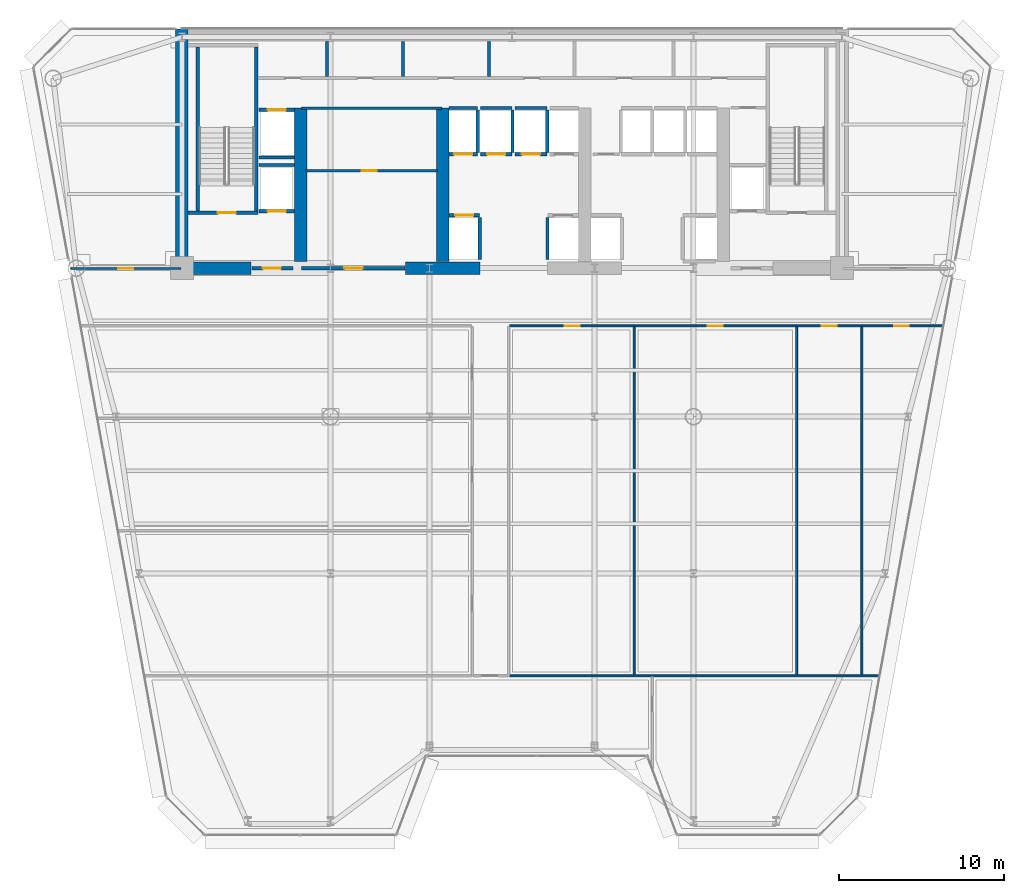
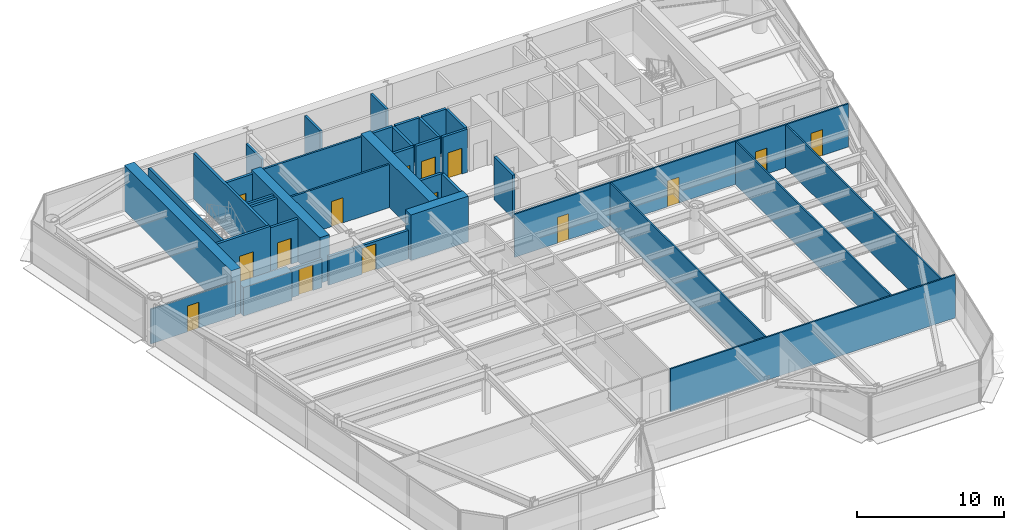
# One storey, part 8 of 14: 37 walls, 15 doors, 15 openings.
"""IFC4 building model written with IfcOpenShell, lengths in metres."""

from ifc_helpers import new_model, si_unit, direction, frame, frame_2d, origin, place, context, subcontext, project, spatial, rectangle, extrude, source, transform, mapped, material, layer, layer_set, type_object, element, fill, save


model = new_model("IFC4")

# Units and contexts
model_context = context("Model", 3, precision=1e-05, world=origin(), true_north=direction((0.0, 1.0)))
body_context = subcontext(model_context, "Body", "Model", "MODEL_VIEW")
ifc_project = project(units=[si_unit("LENGTHUNIT", "METRE"), si_unit("AREAUNIT", "SQUARE_METRE"), si_unit("VOLUMEUNIT", "CUBIC_METRE"), si_unit("PLANEANGLEUNIT", "RADIAN"), si_unit("MASSUNIT", "GRAM", prefix="KILO")], contexts=[model_context])

# Site, building, storey
site_placement = place(None, origin())
site = spatial("IfcSite", under=ifc_project, at=site_placement, CompositionType="ELEMENT")
building_placement = place(site_placement, origin())
building = spatial("IfcBuilding", under=site, at=building_placement, Name="Vaeldorn Concourse Tower", CompositionType="ELEMENT")
storey_placement = place(building_placement, frame((0.0, 0.0, 111.0)))
storey = spatial("IfcBuildingStorey", under=building, at=storey_placement, Name="L28", CompositionType="ELEMENT", Elevation=111.0)

# Walls
ifc_material_1 = material(Name="Concrete C60/75", Category="concrete")
ifc_layer_1 = layer(ifc_material_1, 0.75)
ifc_layer_set_1 = layer_set([ifc_layer_1], Name="Concrete C60/75")
wall_type_1 = type_object("IfcWallType", Name="WL-CORE-750", PredefinedType="SHEAR", material=ifc_layer_set_1)
wall_1_placement = place(storey_placement, frame((14.0, 36.5, 0.0), z_axis=(0.0, 0.0, 1.0), x_axis=(0.0, 1.0, 0.0)))
element("IfcWall", 1, at=wall_1_placement, inside=storey, type_object=wall_type_1, Name="Rear Core Shear Wall L28 W1", PredefinedType="SHEAR", context=body_context, shape_type="SweptSolid", body=[
    extrude(rectangle(XDim=14.5, YDim=0.75, at=frame_2d((7.25, 0.0))), origin(), (0.0, 0.0, 1.0), 3.800048828125),
])
wall_2_placement = place(storey_placement, frame((14.39501953125, 36.5, 0.0), z_axis=(0.0, 0.0, 1.0), x_axis=(1.0, 0.0, 0.0)))
element("IfcWall", 2, at=wall_2_placement, inside=storey, type_object=wall_type_1, Name="Rear Core Shear Wall L28 S1", PredefinedType="SHEAR", context=body_context, shape_type="SweptSolid", body=[
    extrude(rectangle(XDim=3.804931640625, YDim=0.75, at=frame_2d((1.90234375, 0.0))), origin(), (0.0, 0.0, 1.0), 2.3798828125),
])
wall_3_placement = place(storey_placement, frame((27.550048828125, 36.5, 0.0), z_axis=(0.0, 0.0, 1.0), x_axis=(1.0, 0.0, 0.0)))
element("IfcWall", 3, at=wall_3_placement, inside=storey, type_object=wall_type_1, Name="Rear Core Shear Wall L28 S2", PredefinedType="SHEAR", context=body_context, shape_type="SweptSolid", body=[
    extrude(rectangle(XDim=4.5, YDim=0.75, at=frame_2d((2.25, 0.0))), origin(), (0.0, 0.0, 1.0), 3.800048828125),
])
for number, where, z_axis, x_axis, name in (
    (4, (21.199951171875, 36.89501953125, 0.0), (0.0, 0.0, 1.0), (0.0, 1.0, 0.0), "Rear Core Shear Wall L28 M1"),
    (5, (29.800048828125, 36.89501953125, 0.0), (0.0, 0.0, 1.0), (0.0, 1.0, 0.0), "Rear Core Shear Wall L28 M2"),
):
    element("IfcWall", number, at=place(storey_placement, frame(where, z_axis=z_axis, x_axis=x_axis)), inside=storey, type_object=wall_type_1, Name=name, PredefinedType="SHEAR", context=body_context, shape_type="SweptSolid", body=[
        extrude(rectangle(XDim=9.304931640625, YDim=0.75, at=frame_2d((4.65234375, 0.0))), origin(), (0.0, 0.0, 1.0), 3.800048828125),
    ])

# Wall, openings, doors
ifc_material_2 = material(Name="Gypsum Board Partition", Category="gypsum")
ifc_layer_2 = layer(ifc_material_2, 0.1201171875)
ifc_layer_set_2 = layer_set([ifc_layer_2], Name="Gypsum Board Partition")
wall_type_2 = type_object("IfcWallType", Name="WL-PART-120", PredefinedType="PARTITIONING", material=ifc_layer_set_2)
wall_4_placement = place(storey_placement, frame((33.860107421875, 33.0, 0.0), z_axis=(0.0, 0.0, 1.0), x_axis=(1.0, 0.0, 0.0)))
wall_4 = element("IfcWall", 6, at=wall_4_placement, inside=storey, type_object=wall_type_2, Name="Interior Wall PW-L28-C2SE", PredefinedType="PARTITIONING", context=body_context, shape_type="SweptSolid", body=[
    extrude(rectangle(XDim=26.239990234375, YDim=0.1201171875, at=frame_2d((13.1201171875, 0.0))), origin(), (0.0, 0.0, 1.0), 3.580078125),
])
opening_1_placement = place(wall_4_placement, frame((3.340087890625, 0.0, 0.0)))
opening_1 = element("IfcOpeningElement", 7, at=opening_1_placement, cuts=wall_4, Name="Opening D-03", PredefinedType="OPENING", context=body_context, shape_type="SweptSolid", body=[
    extrude(rectangle(XDim=0.89990234375, YDim=2.14990234375, at=frame_2d((0.449951171875, 1.074951171875))), frame((0.0, 0.070068359375, 0.0), z_axis=(0.0, -1.0, 0.0), x_axis=(1.0, 0.0, 0.0)), (0.0, 0.0, 1.0), 0.14013671875),
])
opening_2_placement = place(wall_4_placement, frame((12.014892578125, 0.0, 0.0)))
opening_2 = element("IfcOpeningElement", 8, at=opening_2_placement, cuts=wall_4, Name="Opening D-03", PredefinedType="OPENING", context=body_context, shape_type="SweptSolid", body=[
    extrude(rectangle(XDim=0.89990234375, YDim=2.14990234375, at=frame_2d((0.449951171875, 1.074951171875))), frame((0.0, 0.070068359375, 0.0), z_axis=(0.0, -1.0, 0.0), x_axis=(1.0, 0.0, 0.0)), (0.0, 0.0, 1.0), 0.14013671875),
])
opening_3_placement = place(wall_4_placement, frame((18.9150390625, 0.0, 0.0)))
opening_3 = element("IfcOpeningElement", 9, at=opening_3_placement, cuts=wall_4, Name="Opening D-03", PredefinedType="OPENING", context=body_context, shape_type="SweptSolid", body=[
    extrude(rectangle(XDim=0.89990234375, YDim=2.14990234375, at=frame_2d((0.449951171875, 1.074951171875))), frame((0.0, 0.070068359375, 0.0), z_axis=(0.0, -1.0, 0.0), x_axis=(1.0, 0.0, 0.0)), (0.0, 0.0, 1.0), 0.14013671875),
])
opening_4_placement = place(wall_4_placement, frame((23.2900390625, 0.0, 0.0)))
opening_4 = element("IfcOpeningElement", 10, at=opening_4_placement, cuts=wall_4, Name="Opening D-03", PredefinedType="OPENING", context=body_context, shape_type="SweptSolid", body=[
    extrude(rectangle(XDim=0.89990234375, YDim=2.14990234375, at=frame_2d((0.449951171875, 1.074951171875))), frame((0.0, 0.070068359375, 0.0), z_axis=(0.0, -1.0, 0.0), x_axis=(1.0, 0.0, 0.0)), (0.0, 0.0, 1.0), 0.14013671875),
])
ifc_material_3 = material(Name="Acoustic Bronze-Framed Glass Door", Category="glass")
door_type_1 = type_object("IfcDoorType", Name="DR-INT-900", OperationType="NOTDEFINED", PredefinedType="DOOR", material=ifc_material_3)
shared_shape_1 = source(origin(), body_context, "Body", "SweptSolid", [
    extrude(rectangle(XDim=0.89990234375, YDim=2.14990234375, at=frame_2d((0.449951171875, 1.074951171875))), frame((0.0, 0.02490234375, 0.0), z_axis=(0.0, -1.0, 0.0), x_axis=(1.0, 0.0, 0.0)), (0.0, 0.0, 1.0), 0.050048828125),
])
door_1_placement = place(opening_1_placement, origin())
door_1 = element("IfcDoor", 11, at=door_1_placement, inside=storey, type_object=door_type_1, Name="Interior Door DR-L28-Z2E1", OperationType="SINGLE_SWING_RIGHT", OverallHeight=2.14990234375, OverallWidth=0.89990234375, PredefinedType="DOOR", context=body_context, shape_type="MappedRepresentation", body=[
    mapped(shared_shape_1, transform((0.0, 0.0, 0.0), scale=1.0)),
])
fill(opening_1, door_1)
door_2_placement = place(opening_2_placement, origin())
door_2 = element("IfcDoor", 12, at=door_2_placement, inside=storey, type_object=door_type_1, Name="Interior Door DR-L28-Z2E2", OperationType="SINGLE_SWING_LEFT", OverallHeight=2.14990234375, OverallWidth=0.89990234375, PredefinedType="DOOR", context=body_context, shape_type="MappedRepresentation", body=[
    mapped(shared_shape_1, transform((0.0, 0.0, 0.0), scale=1.0)),
])
fill(opening_2, door_2)
door_3_placement = place(opening_3_placement, origin())
door_3 = element("IfcDoor", 13, at=door_3_placement, inside=storey, type_object=door_type_1, Name="Interior Door DR-L28-Z2E3", OperationType="SINGLE_SWING_RIGHT", OverallHeight=2.14990234375, OverallWidth=0.89990234375, PredefinedType="DOOR", context=body_context, shape_type="MappedRepresentation", body=[
    mapped(shared_shape_1, transform((0.0, 0.0, 0.0), scale=1.0)),
])
fill(opening_3, door_3)
door_4_placement = place(opening_4_placement, origin())
door_4 = element("IfcDoor", 14, at=door_4_placement, inside=storey, type_object=door_type_1, Name="Interior Door DR-L28-Z2E4", OperationType="SINGLE_SWING_LEFT", OverallHeight=2.14990234375, OverallWidth=0.89990234375, PredefinedType="DOOR", context=body_context, shape_type="MappedRepresentation", body=[
    mapped(shared_shape_1, transform((0.0, 0.0, 0.0), scale=1.0)),
])
fill(opening_4, door_4)

# Wall, opening, door
wall_5_placement = place(storey_placement, frame((7.271484375, 36.47998046875, 0.0), z_axis=(0.0, 0.0, 1.0), x_axis=(1.0, 0.0, 0.0)))
wall_5 = element("IfcWall", 15, at=wall_5_placement, inside=storey, type_object=wall_type_2, Name="Interior Wall PW-L28-NWS", PredefinedType="PARTITIONING", context=body_context, shape_type="SweptSolid", body=[
    extrude(rectangle(XDim=6.66845703125, YDim=0.1201171875, at=frame_2d((3.334228515625, 0.0))), origin(), (0.0, 0.0, 1.0), 2.8701171875),
])
opening_5_placement = place(wall_5_placement, frame((2.884033203125, 0.0, 0.0)))
opening_5 = element("IfcOpeningElement", 16, at=opening_5_placement, cuts=wall_5, Name="Opening D-03", PredefinedType="OPENING", context=body_context, shape_type="SweptSolid", body=[
    extrude(rectangle(XDim=0.89990234375, YDim=2.14990234375, at=frame_2d((0.449951171875, 1.074951171875))), frame((0.0, 0.070068359375, 0.0), z_axis=(0.0, -1.0, 0.0), x_axis=(1.0, 0.0, 0.0)), (0.0, 0.0, 1.0), 0.14013671875),
])
door_5_placement = place(opening_5_placement, origin())
door_5 = element("IfcDoor", 17, at=door_5_placement, inside=storey, type_object=door_type_1, Name="Interior Door DR-L28-NWC", OperationType="SINGLE_SWING_LEFT", OverallHeight=2.14990234375, OverallWidth=0.89990234375, PredefinedType="DOOR", context=body_context, shape_type="MappedRepresentation", body=[
    mapped(shared_shape_1, transform((0.0, 0.0, 0.0), scale=1.0)),
])
fill(opening_5, door_5)

# Walls
wall_6_placement = place(storey_placement, frame((33.860107421875, 11.800048828125, 0.0), z_axis=(0.0, 0.0, 1.0), x_axis=(1.0, 0.0, 0.0)))
element("IfcWall", 18, at=wall_6_placement, inside=storey, type_object=wall_type_2, Name="Interior Wall PW-L28-S2EL", PredefinedType="PARTITIONING", context=body_context, shape_type="SweptSolid", body=[
    extrude(rectangle(XDim=22.37841796875, YDim=0.1201171875, at=frame_2d((11.189208984375, 0.0))), origin(), (0.0, 0.0, 1.0), 3.580078125),
])
for number, where, z_axis, x_axis, name in (
    (19, (41.39990234375, 11.860107421875, 0.0), (0.0, 0.0, 1.0), (0.0, 1.0, 0.0), "Interior Wall PW-L28-Z2EX1"),
    (20, (51.25, 11.860107421875, 0.0), (0.0, 0.0, 1.0), (0.0, 1.0, 0.0), "Interior Wall PW-L28-Z2EX2"),
    (21, (55.199951171875, 11.860107421875, 0.0), (0.0, 0.0, 1.0), (0.0, 1.0, 0.0), "Interior Wall PW-L28-Z2EX3"),
):
    element("IfcWall", number, at=place(storey_placement, frame(where, z_axis=z_axis, x_axis=x_axis)), inside=storey, type_object=wall_type_2, Name=name, PredefinedType="PARTITIONING", context=body_context, shape_type="SweptSolid", body=[
        extrude(rectangle(XDim=21.079833984375, YDim=0.1201171875, at=frame_2d((10.5400390625, 0.0))), origin(), (0.0, 0.0, 1.0), 3.580078125),
    ])
ifc_layer_3 = layer(ifc_material_2, 0.14990234375)
ifc_layer_set_3 = layer_set([ifc_layer_3], Name="Gypsum Board Partition")
wall_type_3 = type_object("IfcWallType", Name="WL-PART-150", PredefinedType="PARTITIONING", material=ifc_layer_set_3)
wall_7_placement = place(storey_placement, frame((21.25, 46.199951171875, 0.0), z_axis=(0.0, 0.0, 1.0), x_axis=(1.0, 0.0, 0.0)))
element("IfcWall", 22, at=wall_7_placement, inside=storey, type_object=wall_type_3, Name="Interior Wall CW-L28-R1N", PredefinedType="PARTITIONING", context=body_context, shape_type="SweptSolid", body=[
    extrude(rectangle(XDim=8.5, YDim=0.14990234375, at=frame_2d((4.25, 0.0))), origin(), (0.0, 0.0, 1.0), 3.580078125),
])

# Wall, opening, door
wall_8_placement = place(storey_placement, frame((21.5, 42.39990234375, 0.0), z_axis=(0.0, 0.0, 1.0), x_axis=(1.0, 0.0, 0.0)))
wall_8 = element("IfcWall", 23, at=wall_8_placement, inside=storey, type_object=wall_type_3, Name="Interior Wall CW-L28-R1M", PredefinedType="PARTITIONING", context=body_context, shape_type="SweptSolid", body=[
    extrude(rectangle(XDim=8.0, YDim=0.14990234375, at=frame_2d((4.0, 0.0))), origin(), (0.0, 0.0, 1.0), 3.580078125),
])
opening_6_placement = place(wall_8_placement, frame((3.39990234375, 0.0, 0.0)))
opening_6 = element("IfcOpeningElement", 24, at=opening_6_placement, cuts=wall_8, Name="Opening D-02", PredefinedType="OPENING", context=body_context, shape_type="SweptSolid", body=[
    extrude(rectangle(XDim=0.89990234375, YDim=2.10009765625, at=frame_2d((0.449951171875, 1.050048828125))), frame((0.0, 0.0849609375, 0.0), z_axis=(0.0, -1.0, 0.0), x_axis=(1.0, 0.0, 0.0)), (0.0, 0.0, 1.0), 0.169921875),
])
ifc_material_4 = material(Name="Fire-Rated Timber Leaf", Category="wood")
door_type_2 = type_object("IfcDoorType", Name="DR-FD30-900", OperationType="NOTDEFINED", PredefinedType="DOOR", material=ifc_material_4)
shared_shape_2 = source(origin(), body_context, "Body", "SweptSolid", [
    extrude(rectangle(XDim=0.89990234375, YDim=2.10009765625, at=frame_2d((0.449951171875, 1.050048828125))), frame((0.0, 0.02490234375, 0.0), z_axis=(0.0, -1.0, 0.0), x_axis=(1.0, 0.0, 0.0)), (0.0, 0.0, 1.0), 0.050048828125),
])
door_6_placement = place(opening_6_placement, origin())
door_6 = element("IfcDoor", 25, at=door_6_placement, inside=storey, type_object=door_type_2, Name="Interior Door DR-L28-R1M", OperationType="SINGLE_SWING_RIGHT", OverallHeight=2.10009765625, OverallWidth=0.89990234375, PredefinedType="DOOR", context=body_context, shape_type="MappedRepresentation", body=[
    mapped(shared_shape_2, transform((0.0, 0.0, 0.0), scale=1.0)),
])
fill(opening_6, door_6)

# Walls
ifc_layer_4 = layer(ifc_material_2, 0.179931640625)
ifc_layer_set_4 = layer_set([ifc_layer_4], Name="Gypsum Board Partition")
wall_type_4 = type_object("IfcWallType", Name="WL-PLUMB-180", PredefinedType="PLUMBINGWALL", material=ifc_layer_set_4)
wall_9_placement = place(storey_placement, frame((22.800048828125, 48.10009765625, 0.0), z_axis=(0.0, 0.0, 1.0), x_axis=(0.0, 1.0, 0.0)))
element("IfcWall", 26, at=wall_9_placement, inside=storey, type_object=wall_type_4, Name="Interior Wall CW-L28-NDIV1", PredefinedType="PLUMBINGWALL", context=body_context, shape_type="SweptSolid", body=[
    extrude(rectangle(XDim=2.1298828125, YDim=0.179931640625, at=frame_2d((1.06494140625, 0.0))), origin(), (0.0, 0.0, 1.0), 2.8701171875),
])
for number, where, z_axis, x_axis, name in (
    (27, (27.39990234375, 48.10009765625, 0.0), (0.0, 0.0, 1.0), (0.0, 1.0, 0.0), "Interior Wall CW-L28-NDIV2"),
    (28, (32.60009765625, 48.10009765625, 0.0), (0.0, 0.0, 1.0), (0.0, 1.0, 0.0), "Interior Wall CW-L28-NDIV3"),
):
    element("IfcWall", number, at=place(storey_placement, frame(where, z_axis=z_axis, x_axis=x_axis)), inside=storey, type_object=wall_type_4, Name=name, PredefinedType="PLUMBINGWALL", context=body_context, shape_type="SweptSolid", body=[
        extrude(rectangle(XDim=2.1298828125, YDim=0.179931640625, at=frame_2d((1.06494140625, 0.0))), origin(), (0.0, 0.0, 1.0), 3.580078125),
    ])

# Wall, opening, door
ifc_material_5 = material(Name="Concrete C50/60", Category="concrete")
ifc_layer_5 = layer(ifc_material_5, 0.199951171875)
ifc_layer_set_5 = layer_set([ifc_layer_5], Name="Concrete C50/60")
wall_type_5 = type_object("IfcWallType", Name="WL-SHAFT-200", PredefinedType="SOLIDWALL", material=ifc_layer_set_5)
wall_10_placement = place(storey_placement, frame((14.375, 39.85009765625, 0.0), z_axis=(0.0, 0.0, 1.0), x_axis=(1.0, 0.0, 0.0)))
wall_10 = element("IfcWall", 29, at=wall_10_placement, inside=storey, type_object=wall_type_5, Name="Stair Shaft Wall CW-L28-ST-1-S", PredefinedType="SOLIDWALL", context=body_context, shape_type="SweptSolid", body=[
    extrude(rectangle(XDim=4.22509765625, YDim=0.199951171875, at=frame_2d((2.112548828125, 0.0))), origin(), (0.0, 0.0, 1.0), 3.800048828125),
])
opening_7_placement = place(wall_10_placement, frame((1.800048828125, 0.0, 0.0)))
opening_7 = element("IfcOpeningElement", 30, at=opening_7_placement, cuts=wall_10, Name="Opening D-01", PredefinedType="OPENING", context=body_context, shape_type="SweptSolid", body=[
    extrude(rectangle(XDim=1.10009765625, YDim=2.14990234375, at=frame_2d((0.550048828125, 1.074951171875))), frame((0.0, 0.10986328125, 0.0), z_axis=(0.0, -1.0, 0.0), x_axis=(1.0, 0.0, 0.0)), (0.0, 0.0, 1.0), 0.219970703125),
])
ifc_material_6 = material(Name="Fire-Rated Timber and Steel Leaf", Category="steel")
door_type_3 = type_object("IfcDoorType", Name="DR-FD60-1100", OperationType="NOTDEFINED", PredefinedType="DOOR", material=ifc_material_6)
shared_shape_3 = source(origin(), body_context, "Body", "SweptSolid", [
    extrude(rectangle(XDim=1.10009765625, YDim=2.14990234375, at=frame_2d((0.550048828125, 1.074951171875))), frame((0.0, 0.02490234375, 0.0), z_axis=(0.0, -1.0, 0.0), x_axis=(1.0, 0.0, 0.0)), (0.0, 0.0, 1.0), 0.050048828125),
])
door_7_placement = place(opening_7_placement, origin())
door_7 = element("IfcDoor", 31, at=door_7_placement, inside=storey, type_object=door_type_3, Name="Interior Door DR-L28-ST-1", OperationType="SINGLE_SWING_LEFT", OverallHeight=2.14990234375, OverallWidth=1.10009765625, PredefinedType="DOOR", context=body_context, shape_type="MappedRepresentation", body=[
    mapped(shared_shape_3, transform((0.0, 0.0, 0.0), scale=1.0)),
])
fill(opening_7, door_7)

# Walls
for number, where, z_axis, x_axis, name in (
    (32, (14.949951171875, 39.9599609375, 0.0), (0.0, 0.0, 1.0), (0.0, 1.0, 0.0), "Stair Shaft Wall CW-L28-ST-1-W"),
    (33, (18.5, 39.9599609375, 0.0), (0.0, 0.0, 1.0), (0.0, 1.0, 0.0), "Stair Shaft Wall CW-L28-ST-1-E"),
):
    element("IfcWall", number, at=place(storey_placement, frame(where, z_axis=z_axis, x_axis=x_axis)), inside=storey, type_object=wall_type_5, Name=name, PredefinedType="SOLIDWALL", context=body_context, shape_type="SweptSolid", body=[
        extrude(rectangle(XDim=9.929931640625, YDim=0.199951171875, at=frame_2d((4.96484375, 0.0))), origin(), (0.0, 0.0, 1.0), 3.800048828125),
    ])

# Wall, opening, door
wall_11_placement = place(storey_placement, frame((18.25, 36.5, 0.0), z_axis=(0.0, 0.0, 1.0), x_axis=(1.0, 0.0, 0.0)))
wall_11 = element("IfcWall", 34, at=wall_11_placement, inside=storey, type_object=wall_type_5, Name="Interior Wall CW-L28-FF1S", PredefinedType="SOLIDWALL", context=body_context, shape_type="SweptSolid", body=[
    extrude(rectangle(XDim=2.469970703125, YDim=0.199951171875, at=frame_2d((1.23486328125, 0.0))), origin(), (0.0, 0.0, 1.0), 2.3701171875),
])
opening_8_placement = place(wall_11_placement, frame((0.64990234375, 0.0, 0.0)))
opening_8 = element("IfcOpeningElement", 35, at=opening_8_placement, cuts=wall_11, Name="Opening D-01", PredefinedType="OPENING", context=body_context, shape_type="SweptSolid", body=[
    extrude(rectangle(XDim=1.10009765625, YDim=2.14990234375, at=frame_2d((0.550048828125, 1.074951171875))), frame((0.0, 0.10986328125, 0.0), z_axis=(0.0, -1.0, 0.0), x_axis=(1.0, 0.0, 0.0)), (0.0, 0.0, 1.0), 0.219970703125),
])
door_8_placement = place(opening_8_placement, origin())
door_8 = element("IfcDoor", 36, at=door_8_placement, inside=storey, type_object=door_type_3, Name="Interior Door DR-L28-FF1E", OperationType="SINGLE_SWING_RIGHT", OverallHeight=2.14990234375, OverallWidth=1.10009765625, PredefinedType="DOOR", context=body_context, shape_type="MappedRepresentation", body=[
    mapped(shared_shape_3, transform((0.0, 0.0, 0.0), scale=1.0)),
])
fill(opening_8, door_8)

wall_12_placement = place(storey_placement, frame((30.18505859375, 39.699951171875, 0.0), z_axis=(0.0, 0.0, 1.0), x_axis=(1.0, 0.0, 0.0)))
wall_12 = element("IfcWall", 37, at=wall_12_placement, inside=storey, type_object=wall_type_5, Name="Interior Wall CW-L28-LF-LF-07", PredefinedType="SOLIDWALL", context=body_context, shape_type="SweptSolid", body=[
    extrude(rectangle(XDim=1.844970703125, YDim=0.199951171875, at=frame_2d((0.92236328125, 0.0))), origin(), (0.0, 0.0, 1.0), 3.580078125),
])
opening_9_placement = place(wall_12_placement, frame((0.373046875, 0.0, 0.0)))
opening_9 = element("IfcOpeningElement", 38, at=opening_9_placement, cuts=wall_12, Name="Opening LD-1", PredefinedType="OPENING", context=body_context, shape_type="SweptSolid", body=[
    extrude(rectangle(XDim=1.10009765625, YDim=2.14990234375, at=frame_2d((0.550048828125, 1.074951171875))), frame((0.0, 0.10986328125, 0.0), z_axis=(0.0, -1.0, 0.0), x_axis=(1.0, 0.0, 0.0)), (0.0, 0.0, 1.0), 0.219970703125),
])
ifc_material_7 = material(Name="Anodised Bronze Aluminium", Category="aluminium")
door_type_4 = type_object("IfcDoorType", Name="DR-LIFT-SLIDE-1100", OperationType="DOUBLE_DOOR_SLIDING", PredefinedType="DOOR", material=ifc_material_7)
door_9_placement = place(opening_9_placement, origin())
door_9 = element("IfcDoor", 39, at=door_9_placement, inside=storey, type_object=door_type_4, Name="Lift Landing Door LD-L28-LF-07", OperationType="DOUBLE_DOOR_SLIDING", OverallHeight=2.14990234375, OverallWidth=1.10009765625, PredefinedType="DOOR", context=body_context, shape_type="MappedRepresentation", body=[
    mapped(shared_shape_3, transform((0.0, 0.0, 0.0), scale=1.0)),
])
fill(opening_9, door_9)

# Walls
for number, where, z_axis, x_axis, name in (
    (40, (32.050048828125, 37.02001953125, 0.0), (0.0, 0.0, 1.0), (0.0, 1.0, 0.0), "Interior Wall CW-L28-LFE-LF-07"),
    (41, (36.14990234375, 37.02001953125, 0.0), (0.0, 0.0, 1.0), (0.0, 1.0, 0.0), "Interior Wall CW-L28-LFW-LF-08"),
):
    element("IfcWall", number, at=place(storey_placement, frame(where, z_axis=z_axis, x_axis=x_axis)), inside=storey, type_object=wall_type_5, Name=name, PredefinedType="SOLIDWALL", context=body_context, shape_type="SweptSolid", body=[
        extrude(rectangle(XDim=2.56005859375, YDim=0.199951171875, at=frame_2d((1.280029296875, 0.0))), origin(), (0.0, 0.0, 1.0), 3.580078125),
    ])

# Wall, opening, door
wall_13_placement = place(storey_placement, frame((30.18505859375, 43.39990234375, 0.0), z_axis=(0.0, 0.0, 1.0), x_axis=(1.0, 0.0, 0.0)))
wall_13 = element("IfcWall", 42, at=wall_13_placement, inside=storey, type_object=wall_type_5, Name="Interior Wall CW-L28-LF-LF-09", PredefinedType="SOLIDWALL", context=body_context, shape_type="SweptSolid", body=[
    extrude(rectangle(XDim=1.724853515625, YDim=0.199951171875, at=frame_2d((0.8623046875, 0.0))), origin(), (0.0, 0.0, 1.0), 3.580078125),
])
opening_10_placement = place(wall_13_placement, frame((0.31298828125, 0.0, 0.0)))
opening_10 = element("IfcOpeningElement", 43, at=opening_10_placement, cuts=wall_13, Name="Opening LD-1", PredefinedType="OPENING", context=body_context, shape_type="SweptSolid", body=[
    extrude(rectangle(XDim=1.10009765625, YDim=2.14990234375, at=frame_2d((0.550048828125, 1.074951171875))), frame((0.0, 0.10986328125, 0.0), z_axis=(0.0, -1.0, 0.0), x_axis=(1.0, 0.0, 0.0)), (0.0, 0.0, 1.0), 0.219970703125),
])
door_10_placement = place(opening_10_placement, origin())
door_10 = element("IfcDoor", 44, at=door_10_placement, inside=storey, type_object=door_type_4, Name="Lift Landing Door LD-L28-LF-09", OperationType="DOUBLE_DOOR_SLIDING", OverallHeight=2.14990234375, OverallWidth=1.10009765625, PredefinedType="DOOR", context=body_context, shape_type="MappedRepresentation", body=[
    mapped(shared_shape_3, transform((0.0, 0.0, 0.0), scale=1.0)),
])
fill(opening_10, door_10)

# Walls
wall_14_placement = place(storey_placement, frame((30.18505859375, 46.199951171875, 0.0), z_axis=(0.0, 0.0, 1.0), x_axis=(1.0, 0.0, 0.0)))
element("IfcWall", 45, at=wall_14_placement, inside=storey, type_object=wall_type_5, Name="Interior Wall CW-L28-LFB-LF-09", PredefinedType="SOLIDWALL", context=body_context, shape_type="SweptSolid", body=[
    extrude(rectangle(XDim=1.724853515625, YDim=0.199951171875, at=frame_2d((0.8623046875, 0.0))), origin(), (0.0, 0.0, 1.0), 3.580078125),
])
wall_15_placement = place(storey_placement, frame((31.929931640625, 43.52001953125, 0.0), z_axis=(0.0, 0.0, 1.0), x_axis=(0.0, 1.0, 0.0)))
element("IfcWall", 46, at=wall_15_placement, inside=storey, type_object=wall_type_5, Name="Interior Wall CW-L28-LFE-LF-09", PredefinedType="SOLIDWALL", context=body_context, shape_type="SweptSolid", body=[
    extrude(rectangle(XDim=2.56005859375, YDim=0.199951171875, at=frame_2d((1.280029296875, 0.0))), origin(), (0.0, 0.0, 1.0), 3.580078125),
])

# Wall, opening, door
wall_16_placement = place(storey_placement, frame((32.090087890625, 43.39990234375, 0.0), z_axis=(0.0, 0.0, 1.0), x_axis=(1.0, 0.0, 0.0)))
wall_16 = element("IfcWall", 47, at=wall_16_placement, inside=storey, type_object=wall_type_5, Name="Interior Wall CW-L28-LF-LF-10", PredefinedType="SOLIDWALL", context=body_context, shape_type="SweptSolid", body=[
    extrude(rectangle(XDim=1.919921875, YDim=0.199951171875, at=frame_2d((0.9599609375, 0.0))), origin(), (0.0, 0.0, 1.0), 3.580078125),
])
opening_11_placement = place(wall_16_placement, frame((0.409912109375, 0.0, 0.0)))
opening_11 = element("IfcOpeningElement", 48, at=opening_11_placement, cuts=wall_16, Name="Opening LD-1", PredefinedType="OPENING", context=body_context, shape_type="SweptSolid", body=[
    extrude(rectangle(XDim=1.10009765625, YDim=2.14990234375, at=frame_2d((0.550048828125, 1.074951171875))), frame((0.0, 0.10986328125, 0.0), z_axis=(0.0, -1.0, 0.0), x_axis=(1.0, 0.0, 0.0)), (0.0, 0.0, 1.0), 0.219970703125),
])
door_11_placement = place(opening_11_placement, origin())
door_11 = element("IfcDoor", 49, at=door_11_placement, inside=storey, type_object=door_type_4, Name="Lift Landing Door LD-L28-LF-10", OperationType="DOUBLE_DOOR_SLIDING", OverallHeight=2.14990234375, OverallWidth=1.10009765625, PredefinedType="DOOR", context=body_context, shape_type="MappedRepresentation", body=[
    mapped(shared_shape_3, transform((0.0, 0.0, 0.0), scale=1.0)),
])
fill(opening_11, door_11)

# Walls
wall_17_placement = place(storey_placement, frame((32.090087890625, 46.199951171875, 0.0), z_axis=(0.0, 0.0, 1.0), x_axis=(1.0, 0.0, 0.0)))
element("IfcWall", 50, at=wall_17_placement, inside=storey, type_object=wall_type_5, Name="Interior Wall CW-L28-LFB-LF-10", PredefinedType="SOLIDWALL", context=body_context, shape_type="SweptSolid", body=[
    extrude(rectangle(XDim=1.919921875, YDim=0.199951171875, at=frame_2d((0.9599609375, 0.0))), origin(), (0.0, 0.0, 1.0), 3.580078125),
])
wall_18_placement = place(storey_placement, frame((34.030029296875, 43.52001953125, 0.0), z_axis=(0.0, 0.0, 1.0), x_axis=(0.0, 1.0, 0.0)))
element("IfcWall", 51, at=wall_18_placement, inside=storey, type_object=wall_type_5, Name="Interior Wall CW-L28-LFE-LF-10", PredefinedType="SOLIDWALL", context=body_context, shape_type="SweptSolid", body=[
    extrude(rectangle(XDim=2.56005859375, YDim=0.199951171875, at=frame_2d((1.280029296875, 0.0))), origin(), (0.0, 0.0, 1.0), 3.580078125),
])

# Wall, opening, door
wall_19_placement = place(storey_placement, frame((34.18994140625, 43.39990234375, 0.0), z_axis=(0.0, 0.0, 1.0), x_axis=(1.0, 0.0, 0.0)))
wall_19 = element("IfcWall", 52, at=wall_19_placement, inside=storey, type_object=wall_type_5, Name="Interior Wall CW-L28-LF-LF-11", PredefinedType="SOLIDWALL", context=body_context, shape_type="SweptSolid", body=[
    extrude(rectangle(XDim=1.920166015625, YDim=0.199951171875, at=frame_2d((0.9599609375, 0.0))), origin(), (0.0, 0.0, 1.0), 3.580078125),
])
opening_12_placement = place(wall_19_placement, frame((0.409912109375, 0.0, 0.0)))
opening_12 = element("IfcOpeningElement", 53, at=opening_12_placement, cuts=wall_19, Name="Opening LD-1", PredefinedType="OPENING", context=body_context, shape_type="SweptSolid", body=[
    extrude(rectangle(XDim=1.10009765625, YDim=2.14990234375, at=frame_2d((0.550048828125, 1.074951171875))), frame((0.0, 0.10986328125, 0.0), z_axis=(0.0, -1.0, 0.0), x_axis=(1.0, 0.0, 0.0)), (0.0, 0.0, 1.0), 0.219970703125),
])
door_12_placement = place(opening_12_placement, origin())
door_12 = element("IfcDoor", 54, at=door_12_placement, inside=storey, type_object=door_type_4, Name="Lift Landing Door LD-L28-LF-11", OperationType="DOUBLE_DOOR_SLIDING", OverallHeight=2.14990234375, OverallWidth=1.10009765625, PredefinedType="DOOR", context=body_context, shape_type="MappedRepresentation", body=[
    mapped(shared_shape_3, transform((0.0, 0.0, 0.0), scale=1.0)),
])
fill(opening_12, door_12)

# Walls
wall_20_placement = place(storey_placement, frame((34.18994140625, 46.199951171875, 0.0), z_axis=(0.0, 0.0, 1.0), x_axis=(1.0, 0.0, 0.0)))
element("IfcWall", 55, at=wall_20_placement, inside=storey, type_object=wall_type_5, Name="Interior Wall CW-L28-LFB-LF-11", PredefinedType="SOLIDWALL", context=body_context, shape_type="SweptSolid", body=[
    extrude(rectangle(XDim=1.920166015625, YDim=0.199951171875, at=frame_2d((0.9599609375, 0.0))), origin(), (0.0, 0.0, 1.0), 3.580078125),
])
wall_21_placement = place(storey_placement, frame((36.1298828125, 43.52001953125, 0.0), z_axis=(0.0, 0.0, 1.0), x_axis=(0.0, 1.0, 0.0)))
element("IfcWall", 56, at=wall_21_placement, inside=storey, type_object=wall_type_5, Name="Interior Wall CW-L28-LFE-LF-11", PredefinedType="SOLIDWALL", context=body_context, shape_type="SweptSolid", body=[
    extrude(rectangle(XDim=2.56005859375, YDim=0.199951171875, at=frame_2d((1.280029296875, 0.0))), origin(), (0.0, 0.0, 1.0), 3.580078125),
])

# Wall, opening, door
wall_22_placement = place(storey_placement, frame((18.669921875, 46.10009765625, 0.0), z_axis=(0.0, 0.0, 1.0), x_axis=(1.0, 0.0, 0.0)))
wall_22 = element("IfcWall", 57, at=wall_22_placement, inside=storey, type_object=wall_type_5, Name="Interior Wall CW-L28-LF-LF-SV1", PredefinedType="SOLIDWALL", context=body_context, shape_type="SweptSolid", body=[
    extrude(rectangle(XDim=2.14501953125, YDim=0.199951171875, at=frame_2d((1.072509765625, 0.0))), origin(), (0.0, 0.0, 1.0), 3.580078125),
])
opening_13_placement = place(wall_22_placement, frame((0.52197265625, 0.0, 0.0)))
opening_13 = element("IfcOpeningElement", 58, at=opening_13_placement, cuts=wall_22, Name="Opening LD-1", PredefinedType="OPENING", context=body_context, shape_type="SweptSolid", body=[
    extrude(rectangle(XDim=1.10009765625, YDim=2.14990234375, at=frame_2d((0.550048828125, 1.074951171875))), frame((0.0, 0.10986328125, 0.0), z_axis=(0.0, -1.0, 0.0), x_axis=(1.0, 0.0, 0.0)), (0.0, 0.0, 1.0), 0.219970703125),
])
door_13_placement = place(opening_13_placement, origin())
door_13 = element("IfcDoor", 59, at=door_13_placement, inside=storey, type_object=door_type_4, Name="Lift Landing Door LD-L28-LF-SV1", OperationType="DOUBLE_DOOR_SLIDING", OverallHeight=2.14990234375, OverallWidth=1.10009765625, PredefinedType="DOOR", context=body_context, shape_type="MappedRepresentation", body=[
    mapped(shared_shape_3, transform((0.0, 0.0, 0.0), scale=1.0)),
])
fill(opening_13, door_13)

# Wall
wall_23_placement = place(storey_placement, frame((18.669921875, 43.199951171875, 0.0), z_axis=(0.0, 0.0, 1.0), x_axis=(1.0, 0.0, 0.0)))
element("IfcWall", 60, at=wall_23_placement, inside=storey, type_object=wall_type_5, Name="Interior Wall CW-L28-LFB-LF-SV1", PredefinedType="SOLIDWALL", context=body_context, shape_type="SweptSolid", body=[
    extrude(rectangle(XDim=2.14501953125, YDim=0.199951171875, at=frame_2d((1.072509765625, 0.0))), origin(), (0.0, 0.0, 1.0), 3.580078125),
])

# Wall, opening, door
wall_24_placement = place(storey_placement, frame((18.669921875, 39.949951171875, 0.0), z_axis=(0.0, 0.0, 1.0), x_axis=(1.0, 0.0, 0.0)))
wall_24 = element("IfcWall", 61, at=wall_24_placement, inside=storey, type_object=wall_type_5, Name="Interior Wall CW-L28-LF-LF-FF1", PredefinedType="SOLIDWALL", context=body_context, shape_type="SweptSolid", body=[
    extrude(rectangle(XDim=2.14501953125, YDim=0.199951171875, at=frame_2d((1.072509765625, 0.0))), origin(), (0.0, 0.0, 1.0), 3.580078125),
])
opening_14_placement = place(wall_24_placement, frame((0.52197265625, 0.0, 0.0)))
opening_14 = element("IfcOpeningElement", 62, at=opening_14_placement, cuts=wall_24, Name="Opening LD-1", PredefinedType="OPENING", context=body_context, shape_type="SweptSolid", body=[
    extrude(rectangle(XDim=1.10009765625, YDim=2.14990234375, at=frame_2d((0.550048828125, 1.074951171875))), frame((0.0, 0.10986328125, 0.0), z_axis=(0.0, -1.0, 0.0), x_axis=(1.0, 0.0, 0.0)), (0.0, 0.0, 1.0), 0.219970703125),
])
door_14_placement = place(opening_14_placement, origin())
door_14 = element("IfcDoor", 63, at=door_14_placement, inside=storey, type_object=door_type_4, Name="Lift Landing Door LD-L28-LF-FF1", OperationType="DOUBLE_DOOR_SLIDING", OverallHeight=2.14990234375, OverallWidth=1.10009765625, PredefinedType="DOOR", context=body_context, shape_type="MappedRepresentation", body=[
    mapped(shared_shape_3, transform((0.0, 0.0, 0.0), scale=1.0)),
])
fill(opening_14, door_14)

# Wall
wall_25_placement = place(storey_placement, frame((18.669921875, 42.75, 0.0), z_axis=(0.0, 0.0, 1.0), x_axis=(1.0, 0.0, 0.0)))
element("IfcWall", 64, at=wall_25_placement, inside=storey, type_object=wall_type_5, Name="Interior Wall CW-L28-LFB-LF-FF1", PredefinedType="SOLIDWALL", context=body_context, shape_type="SweptSolid", body=[
    extrude(rectangle(XDim=2.14501953125, YDim=0.199951171875, at=frame_2d((1.072509765625, 0.0))), origin(), (0.0, 0.0, 1.0), 3.580078125),
])

# Wall, opening, door
wall_26_placement = place(storey_placement, frame((21.25, 36.5, 0.0), z_axis=(0.0, 0.0, 1.0), x_axis=(1.0, 0.0, 0.0)))
wall_26 = element("IfcWall", 65, at=wall_26_placement, inside=storey, type_object=wall_type_5, Name="Interior Wall CW-L28-R1S", PredefinedType="SOLIDWALL", context=body_context, shape_type="SweptSolid", body=[
    extrude(rectangle(XDim=6.27001953125, YDim=0.199951171875, at=frame_2d((3.135009765625, 0.0))), origin(), (0.0, 0.0, 1.0), 2.3701171875),
])
opening_15_placement = place(wall_26_placement, frame((2.60009765625, 0.0, 0.0)))
opening_15 = element("IfcOpeningElement", 66, at=opening_15_placement, cuts=wall_26, Name="Opening D-01", PredefinedType="OPENING", context=body_context, shape_type="SweptSolid", body=[
    extrude(rectangle(XDim=1.10009765625, YDim=2.14990234375, at=frame_2d((0.550048828125, 1.074951171875))), frame((0.0, 0.10986328125, 0.0), z_axis=(0.0, -1.0, 0.0), x_axis=(1.0, 0.0, 0.0)), (0.0, 0.0, 1.0), 0.219970703125),
])
door_15_placement = place(opening_15_placement, origin())
door_15 = element("IfcDoor", 67, at=door_15_placement, inside=storey, type_object=door_type_3, Name="Interior Door DR-L28-R1S", OperationType="SINGLE_SWING_LEFT", OverallHeight=2.14990234375, OverallWidth=1.10009765625, PredefinedType="DOOR", context=body_context, shape_type="MappedRepresentation", body=[
    mapped(shared_shape_3, transform((0.0, 0.0, 0.0), scale=1.0)),
])
fill(opening_15, door_15)

save(model, "model.ifc")
